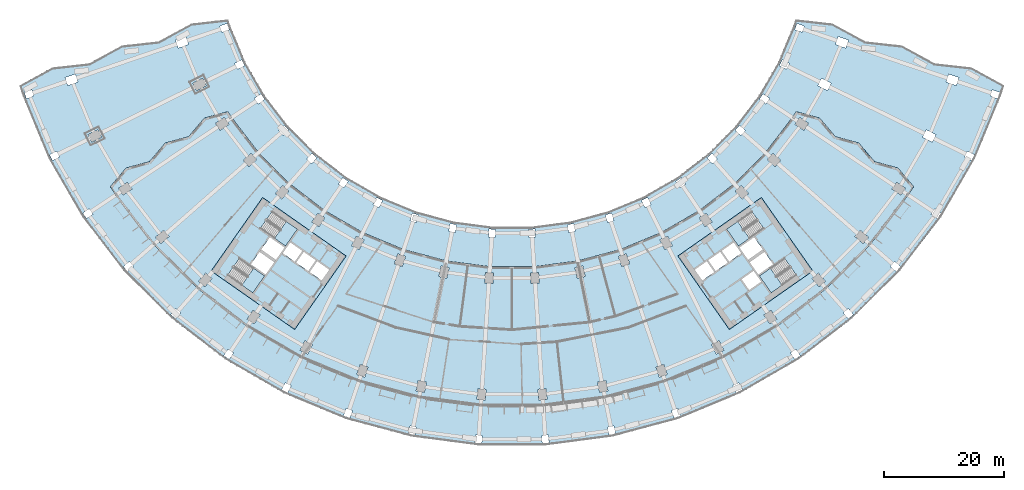
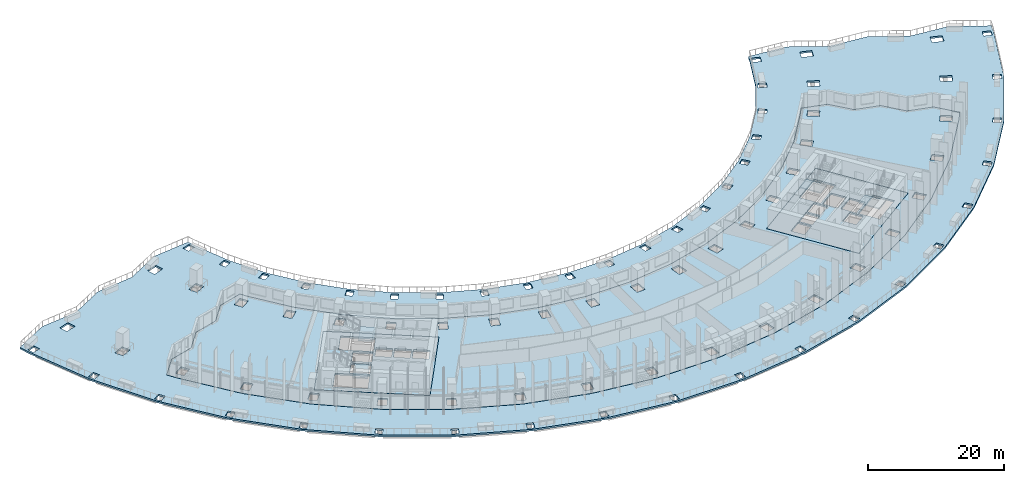
# One storey, part 3 of 35: 8 slabs, 4 elements without a shape of their own.
"""IFC4 building model written with IfcOpenShell, lengths in metres."""

from ifc_helpers import new_model, si_unit, direction, frame, origin, place, context, subcontext, project, spatial, polyline, outline, extrude, material, layer, layer_set, type_object, element, aggregate, save


model = new_model("IFC4")

# Units and contexts
model_context = context("Model", 3, precision=1e-05, world=origin(), true_north=direction((0.0, 1.0)))
body_context = subcontext(model_context, "Body", "Model", "MODEL_VIEW")
ifc_project = project(units=[si_unit("LENGTHUNIT", "METRE"), si_unit("AREAUNIT", "SQUARE_METRE"), si_unit("VOLUMEUNIT", "CUBIC_METRE"), si_unit("PLANEANGLEUNIT", "RADIAN"), si_unit("MASSUNIT", "GRAM", prefix="KILO")], contexts=[model_context])

# Site, building, storey
site_placement = place(None, origin())
site = spatial("IfcSite", under=ifc_project, at=site_placement, CompositionType="ELEMENT")
building_placement = place(site_placement, origin())
building = spatial("IfcBuilding", under=site, at=building_placement, Name="Qamariyya Broadcast Tower", CompositionType="ELEMENT")
storey_placement = place(building_placement, frame((0.0, 0.0, 40.5)))
storey = spatial("IfcBuildingStorey", under=building, at=storey_placement, Name="L06", CompositionType="ELEMENT", Elevation=40.5)

# Slabs
ifc_material_1 = material(Name="Concrete C40/50", Category="concrete")
ifc_layer_1 = layer(ifc_material_1, 0.300048828125)
ifc_layer_set_1 = layer_set([ifc_layer_1], Name="Core floor slab 300 mm Concrete C40/50")
slab_type_1 = type_object("IfcSlabType", Name="Core floor slab 300 mm Concrete C40/50", PredefinedType="FLOOR", material=ifc_layer_set_1)
slab_1_placement = place(storey_placement, frame((0.0, 0.0, -0.300048828125)))
element("IfcSlab", 1, at=slab_1_placement, inside=storey, type_object=slab_type_1, Name="k-W-L06-slab", PredefinedType="FLOOR", context=body_context, shape_type="SweptSolid", body=[
    extrude(outline(polyline([(-50.286376953125, -56.95751953125), (-36.32373046875, -66.734375), (-27.719970703125, -54.447021484375), (-41.6826171875, -44.67041015625), (-50.286376953125, -56.95751953125)]), holes=[polyline([(-31.80859375, -58.542724609375), (-33.8154296875, -57.137451171875), (-32.5537109375, -55.335205078125), (-30.546630859375, -56.740478515625), (-31.80859375, -58.542724609375)]), polyline([(-34.061279296875, -56.96533203125), (-36.068115234375, -55.56005859375), (-34.806396484375, -53.758056640625), (-32.79931640625, -55.163330078125), (-34.061279296875, -56.96533203125)]), polyline([(-36.31396484375, -55.387939453125), (-38.32080078125, -53.982666015625), (-37.058837890625, -52.1806640625), (-35.052001953125, -53.5859375), (-36.31396484375, -55.387939453125)]), polyline([(-39.742431640625, -55.489990234375), (-42.199951171875, -53.769287109375), (-43.6337890625, -55.817138671875), (-41.17626953125, -57.537841796875), (-39.742431640625, -55.489990234375)]), polyline([(-39.45556640625, -55.080322265625), (-41.9130859375, -53.359619140625), (-40.47900390625, -51.311767578125), (-38.021728515625, -53.032470703125), (-39.45556640625, -55.080322265625)]), polyline([(-42.06103515625, -49.837890625), (-37.849609375, -52.78662109375), (-35.870849609375, -49.960693359375), (-40.082275390625, -47.01171875), (-42.06103515625, -49.837890625)]), polyline([(-47.538818359375, -57.66064453125), (-43.3271484375, -60.609619140625), (-41.348388671875, -57.783447265625), (-45.559814453125, -54.834716796875), (-47.538818359375, -57.66064453125)])]), origin(), (0.0, 0.0, 1.0), 0.300048828125),
])
slab_2_placement = place(storey_placement, frame((0.0, 0.0, -0.300048828125)))
element("IfcSlab", 2, at=slab_2_placement, inside=storey, type_object=slab_type_1, Name="k-E-L06-slab", PredefinedType="FLOOR", context=body_context, shape_type="SweptSolid", body=[
    extrude(outline(polyline([(36.32373046875, -66.734375), (50.286376953125, -56.95751953125), (41.6826171875, -44.67041015625), (27.719970703125, -54.447021484375), (36.32373046875, -66.734375)]), holes=[polyline([(31.80859375, -58.542724609375), (33.8154296875, -57.137451171875), (32.5537109375, -55.335205078125), (30.546630859375, -56.740478515625), (31.80859375, -58.542724609375)]), polyline([(34.061279296875, -56.96533203125), (36.068115234375, -55.56005859375), (34.806396484375, -53.758056640625), (32.79931640625, -55.163330078125), (34.061279296875, -56.96533203125)]), polyline([(36.31396484375, -55.387939453125), (38.32080078125, -53.982666015625), (37.058837890625, -52.1806640625), (35.052001953125, -53.5859375), (36.31396484375, -55.387939453125)]), polyline([(38.378662109375, -58.3369140625), (40.3857421875, -56.931640625), (41.6474609375, -58.73388671875), (39.640625, -60.13916015625), (38.378662109375, -58.3369140625)]), polyline([(39.742431640625, -55.489990234375), (42.199951171875, -53.769287109375), (43.6337890625, -55.817138671875), (41.17626953125, -57.537841796875), (39.742431640625, -55.489990234375)]), polyline([(39.45556640625, -55.080322265625), (41.9130859375, -53.359619140625), (40.47900390625, -51.311767578125), (38.021728515625, -53.032470703125), (39.45556640625, -55.080322265625)]), polyline([(40.082275390625, -47.01171875), (35.870849609375, -49.960693359375), (37.849609375, -52.78662109375), (42.06103515625, -49.837890625), (40.082275390625, -47.01171875)]), polyline([(45.559814453125, -54.834716796875), (41.348388671875, -57.783447265625), (43.3271484375, -60.609619140625), (47.538818359375, -57.66064453125), (45.559814453125, -54.834716796875)])]), origin(), (0.0, 0.0, 1.0), 0.300048828125),
])
ifc_layer_2 = layer(ifc_material_1, 0.300048828125)
ifc_layer_set_2 = layer_set([ifc_layer_2], Name="Post-tensioned floor slab 300 C40/50")
slab_type_2 = type_object("IfcSlabType", Name="Post-tensioned floor slab 300 C40/50", PredefinedType="FLOOR", material=ifc_layer_set_2)
slab_3_placement = place(storey_placement, frame((0.0, 0.0, -0.300048828125)))
element("IfcSlab", 3, at=slab_3_placement, inside=storey, type_object=slab_type_2, Name="Floor slab S4 L06", PredefinedType="FLOOR", context=body_context, shape_type="SweptSolid", body=[
    extrude(outline(polyline([(-64.5029296875, -39.74853515625), (-67.138671875, -42.8544921875), (-66.2265625, -44.251220703125), (-59.884033203125, -52.516845703125), (-52.516845703125, -59.884033203125), (-44.251220703125, -66.2265625), (-35.228271484375, -71.43603515625), (-25.6025390625, -75.423095703125), (-15.5390625, -78.11962890625), (-5.20947265625, -79.4794921875), (5.20947265625, -79.4794921875), (15.5390625, -78.11962890625), (25.6025390625, -75.423095703125), (35.228271484375, -71.43603515625), (44.251220703125, -66.2265625), (52.516845703125, -59.884033203125), (59.884033203125, -52.516845703125), (66.2265625, -44.251220703125), (67.138671875, -42.8544921875), (64.5029296875, -39.74853515625), (60.592041015625, -38.67578125), (57.955322265625, -35.5693359375), (54.04541015625, -34.4970703125), (51.407470703125, -31.389892578125), (47.498779296875, -30.318359375), (46.853271484375, -31.306396484375), (42.3662109375, -37.154052734375), (37.154052734375, -42.3662109375), (31.306396484375, -46.853271484375), (24.9228515625, -50.538818359375), (18.113037109375, -53.359619140625), (10.993408203125, -55.267333984375), (3.685546875, -56.229248046875), (-3.685546875, -56.229248046875), (-10.993408203125, -55.267333984375), (-18.113037109375, -53.359619140625), (-24.9228515625, -50.538818359375), (-31.306396484375, -46.853271484375), (-37.154052734375, -42.3662109375), (-42.3662109375, -37.154052734375), (-46.853271484375, -31.306396484375), (-47.498779296875, -30.318359375), (-51.407470703125, -31.389892578125), (-54.04541015625, -34.4970703125), (-57.955322265625, -35.5693359375), (-60.592041015625, -38.67578125), (-64.5029296875, -39.74853515625)]), holes=[polyline([(-33.362060546875, -69.234375), (-34.158203125, -70.8486328125), (-35.413818359375, -70.2294921875), (-34.61767578125, -68.614990234375), (-33.362060546875, -69.234375)]), polyline([(-42.113525390625, -64.287353515625), (-43.113525390625, -65.783935546875), (-44.277587890625, -65.006103515625), (-43.277587890625, -63.509521484375), (-42.113525390625, -64.287353515625)]), polyline([(-51.197021484375, -57.3173828125), (-50.14453125, -58.240478515625), (-51.331298828125, -59.59375), (-52.3837890625, -58.670654296875), (-51.197021484375, -57.3173828125)]), polyline([(-27.719970703125, -54.447021484375), (-36.32373046875, -66.734375), (-50.286376953125, -56.95751953125), (-41.6826171875, -44.67041015625), (-27.719970703125, -54.447021484375)]), polyline([(-57.3173828125, -51.197021484375), (-58.670654296875, -52.3837890625), (-59.59375, -51.331298828125), (-58.240478515625, -50.14453125), (-57.3173828125, -51.197021484375)]), polyline([(-32.444091796875, -47.2958984375), (-31.280029296875, -48.07373046875), (-32.280029296875, -49.5703125), (-33.444091796875, -48.79248046875), (-32.444091796875, -47.2958984375)]), polyline([(-38.33984375, -42.656494140625), (-37.287109375, -43.57958984375), (-38.47412109375, -44.932861328125), (-39.526611328125, -44.009765625), (-38.33984375, -42.656494140625)]), polyline([(-63.509521484375, -43.277587890625), (-65.006103515625, -44.277587890625), (-65.783935546875, -43.113525390625), (-64.287353515625, -42.113525390625), (-63.509521484375, -43.277587890625)]), polyline([(-43.57958984375, -37.287109375), (-42.656494140625, -38.33984375), (-44.009765625, -39.526611328125), (-44.932861328125, -38.47412109375), (-43.57958984375, -37.287109375)]), polyline([(-48.07373046875, -31.280029296875), (-47.2958984375, -32.444091796875), (-48.79248046875, -33.444091796875), (-49.5703125, -32.280029296875), (-48.07373046875, -31.280029296875)]), polyline([(-4.32763671875, -76.731201171875), (-4.445556640625, -78.52734375), (-5.842529296875, -78.435791015625), (-5.724853515625, -76.6396484375), (-4.32763671875, -76.731201171875)]), polyline([(5.724853515625, -76.6396484375), (5.842529296875, -78.435791015625), (4.445556640625, -78.52734375), (4.32763671875, -76.731201171875), (5.724853515625, -76.6396484375)]), polyline([(-15.67919921875, -75.23681640625), (-14.30615234375, -75.510009765625), (-14.6572265625, -77.275390625), (-16.030517578125, -77.002197265625), (-15.67919921875, -75.23681640625)]), polyline([(15.67919921875, -75.23681640625), (16.030517578125, -77.002197265625), (14.6572265625, -77.275390625), (14.30615234375, -75.510009765625), (15.67919921875, -75.23681640625)]), polyline([(-24.039794921875, -72.99658203125), (-24.618408203125, -74.701171875), (-25.944091796875, -74.2509765625), (-25.365478515625, -72.546630859375), (-24.039794921875, -72.99658203125)]), polyline([(24.039794921875, -72.99658203125), (25.365478515625, -72.546630859375), (25.944091796875, -74.2509765625), (24.618408203125, -74.701171875), (24.039794921875, -72.99658203125)]), polyline([(4.449462890625, -57.181396484375), (4.567138671875, -58.9775390625), (3.170166015625, -59.069091796875), (3.05224609375, -57.27294921875), (4.449462890625, -57.181396484375)]), polyline([(-3.05224609375, -57.27294921875), (-3.170166015625, -59.069091796875), (-4.567138671875, -58.9775390625), (-4.449462890625, -57.181396484375), (-3.05224609375, -57.27294921875)]), polyline([(10.501953125, -56.384521484375), (11.875, -56.111572265625), (12.22607421875, -57.876953125), (10.85302734375, -58.14990234375), (10.501953125, -56.384521484375)]), polyline([(-11.875, -56.111572265625), (-10.501953125, -56.384521484375), (-10.85302734375, -58.14990234375), (-12.22607421875, -57.876953125), (-11.875, -56.111572265625)]), polyline([(17.771728515625, -54.531494140625), (19.097412109375, -54.08154296875), (19.676025390625, -55.785888671875), (18.350341796875, -56.23583984375), (17.771728515625, -54.531494140625)]), polyline([(-17.771728515625, -54.531494140625), (-18.350341796875, -56.23583984375), (-19.676025390625, -55.785888671875), (-19.097412109375, -54.08154296875), (-17.771728515625, -54.531494140625)]), polyline([(-24.737548828125, -51.745361328125), (-25.533447265625, -53.359619140625), (-26.789306640625, -52.740478515625), (-25.9931640625, -51.1259765625), (-24.737548828125, -51.745361328125)]), polyline([(24.737548828125, -51.745361328125), (25.9931640625, -51.1259765625), (26.789306640625, -52.740478515625), (25.533447265625, -53.359619140625), (24.737548828125, -51.745361328125)]), polyline([(33.362060546875, -69.234375), (34.61767578125, -68.614990234375), (35.413818359375, -70.2294921875), (34.158203125, -70.8486328125), (33.362060546875, -69.234375)]), polyline([(43.277587890625, -63.509521484375), (44.277587890625, -65.006103515625), (43.113525390625, -65.783935546875), (42.113525390625, -64.287353515625), (43.277587890625, -63.509521484375)]), polyline([(50.14453125, -58.240478515625), (51.197021484375, -57.3173828125), (52.3837890625, -58.670654296875), (51.331298828125, -59.59375), (50.14453125, -58.240478515625)]), polyline([(27.719970703125, -54.447021484375), (41.6826171875, -44.67041015625), (50.286376953125, -56.95751953125), (36.32373046875, -66.734375), (27.719970703125, -54.447021484375)]), polyline([(58.240478515625, -50.14453125), (59.59375, -51.331298828125), (58.670654296875, -52.3837890625), (57.3173828125, -51.197021484375), (58.240478515625, -50.14453125)]), polyline([(32.444091796875, -47.2958984375), (33.444091796875, -48.79248046875), (32.280029296875, -49.5703125), (31.280029296875, -48.07373046875), (32.444091796875, -47.2958984375)]), polyline([(37.287109375, -43.57958984375), (38.33984375, -42.656494140625), (39.526611328125, -44.009765625), (38.47412109375, -44.932861328125), (37.287109375, -43.57958984375)]), polyline([(63.509521484375, -43.277587890625), (64.287353515625, -42.113525390625), (65.783935546875, -43.113525390625), (65.006103515625, -44.277587890625), (63.509521484375, -43.277587890625)]), polyline([(43.57958984375, -37.287109375), (44.932861328125, -38.47412109375), (44.009765625, -39.526611328125), (42.656494140625, -38.33984375), (43.57958984375, -37.287109375)]), polyline([(48.07373046875, -31.280029296875), (49.5703125, -32.280029296875), (48.79248046875, -33.444091796875), (47.2958984375, -32.444091796875), (48.07373046875, -31.280029296875)])]), origin(), (0.0, 0.0, 1.0), 0.300048828125),
])
ifc_layer_3 = layer(ifc_material_1, 0.300048828125)
ifc_layer_set_3 = layer_set([ifc_layer_3], Name="Roof slab 300 C40/50")
slab_type_3 = type_object("IfcSlabType", Name="Roof slab 300 C40/50", PredefinedType="ROOF", material=ifc_layer_set_3)
slab_4_placement = place(storey_placement, frame((0.0, 0.0, -0.300048828125)))
element("IfcSlab", 4, at=slab_4_placement, inside=storey, type_object=slab_type_3, Name="Terrace slab S6 L06", PredefinedType="ROOF", context=body_context, shape_type="SweptSolid", body=[
    extrude(outline(polyline([(-65.1865234375, -19.357421875), (-70.635009765625, -22.3388671875), (-76.78857421875, -23.0263671875), (-82.2353515625, -26.007568359375), (-81.672607421875, -27.72412109375), (-77.355224609375, -38.1474609375), (-71.71435546875, -47.91796875), (-64.84619140625, -56.86865234375), (-56.86865234375, -64.84619140625), (-47.91796875, -71.71435546875), (-38.1474609375, -77.355224609375), (-27.72412109375, -81.672607421875), (-16.82666015625, -84.5927734375), (-5.64111328125, -86.0654296875), (5.64111328125, -86.0654296875), (16.82666015625, -84.5927734375), (27.72412109375, -81.672607421875), (38.1474609375, -77.355224609375), (47.91796875, -71.71435546875), (56.86865234375, -64.84619140625), (64.84619140625, -56.86865234375), (71.71435546875, -47.91796875), (77.355224609375, -38.1474609375), (81.672607421875, -27.72412109375), (82.2353515625, -26.007568359375), (76.78857421875, -23.0263671875), (70.635009765625, -22.3388671875), (65.1865234375, -19.357421875), (59.03466796875, -18.670166015625), (53.583984375, -15.68798828125), (47.434326171875, -15.00146484375), (47.10986328125, -15.99169921875), (44.619384765625, -22.00390625), (41.36572265625, -27.6396484375), (37.404052734375, -32.802490234375), (32.802490234375, -37.404052734375), (27.6396484375, -41.36572265625), (22.00390625, -44.619384765625), (15.99169921875, -47.10986328125), (9.705810546875, -48.794189453125), (3.25390625, -49.6435546875), (-3.25390625, -49.6435546875), (-9.705810546875, -48.794189453125), (-15.99169921875, -47.10986328125), (-22.00390625, -44.619384765625), (-27.6396484375, -41.36572265625), (-32.802490234375, -37.404052734375), (-37.404052734375, -32.802490234375), (-41.36572265625, -27.6396484375), (-44.619384765625, -22.00390625), (-47.10986328125, -15.99169921875), (-47.434326171875, -15.00146484375), (-53.583984375, -15.68798828125), (-59.03466796875, -18.670166015625), (-65.1865234375, -19.357421875)]), holes=[polyline([(-52.516845703125, -59.884033203125), (-59.884033203125, -52.516845703125), (-66.2265625, -44.251220703125), (-67.138671875, -42.8544921875), (-64.5029296875, -39.74853515625), (-60.592041015625, -38.67578125), (-57.955322265625, -35.5693359375), (-54.04541015625, -34.4970703125), (-51.407470703125, -31.389892578125), (-47.498779296875, -30.318359375), (-46.853271484375, -31.306396484375), (-42.3662109375, -37.154052734375), (-37.154052734375, -42.3662109375), (-31.306396484375, -46.853271484375), (-24.9228515625, -50.538818359375), (-18.113037109375, -53.359619140625), (-10.993408203125, -55.267333984375), (-3.685546875, -56.229248046875), (3.685546875, -56.229248046875), (10.993408203125, -55.267333984375), (18.113037109375, -53.359619140625), (24.9228515625, -50.538818359375), (31.306396484375, -46.853271484375), (37.154052734375, -42.3662109375), (42.3662109375, -37.154052734375), (46.853271484375, -31.306396484375), (47.498779296875, -30.318359375), (51.407470703125, -31.389892578125), (54.04541015625, -34.4970703125), (57.955322265625, -35.5693359375), (60.592041015625, -38.67578125), (64.5029296875, -39.74853515625), (67.138671875, -42.8544921875), (66.2265625, -44.251220703125), (59.884033203125, -52.516845703125), (52.516845703125, -59.884033203125), (44.251220703125, -66.2265625), (35.228271484375, -71.43603515625), (25.6025390625, -75.423095703125), (15.5390625, -78.11962890625), (5.20947265625, -79.4794921875), (-5.20947265625, -79.4794921875), (-15.5390625, -78.11962890625), (-25.6025390625, -75.423095703125), (-35.228271484375, -71.43603515625), (-44.251220703125, -66.2265625), (-52.516845703125, -59.884033203125)]), polyline([(-27.714599609375, -79.93359375), (-26.6728515625, -80.287109375), (-27.0908203125, -81.51806640625), (-28.132568359375, -81.16455078125), (-27.714599609375, -79.93359375)]), polyline([(-37.910888671875, -75.632080078125), (-36.92431640625, -76.11865234375), (-37.499267578125, -77.28466796875), (-38.48583984375, -76.798095703125), (-37.910888671875, -75.632080078125)]), polyline([(-47.45849609375, -70.036865234375), (-46.5439453125, -70.64794921875), (-47.26611328125, -71.728759765625), (-48.180908203125, -71.11767578125), (-47.45849609375, -70.036865234375)]), polyline([(-56.194091796875, -63.242919921875), (-55.3671875, -63.96826171875), (-56.224365234375, -64.94580078125), (-57.05126953125, -64.220458984375), (-56.194091796875, -63.242919921875)]), polyline([(-63.96826171875, -55.3671875), (-63.242919921875, -56.194091796875), (-64.220458984375, -57.05126953125), (-64.94580078125, -56.224365234375), (-63.96826171875, -55.3671875)]), polyline([(-70.64794921875, -46.5439453125), (-70.036865234375, -47.45849609375), (-71.11767578125, -48.180908203125), (-71.728759765625, -47.26611328125), (-70.64794921875, -46.5439453125)]), polyline([(-27.376708984375, -41.962158203125), (-28.09912109375, -43.043212890625), (-29.013671875, -42.431884765625), (-28.291259765625, -41.35107421875), (-27.376708984375, -41.962158203125)]), polyline([(-33.44677734375, -37.304443359375), (-32.61962890625, -38.02978515625), (-33.476806640625, -39.00732421875), (-34.303955078125, -38.281982421875), (-33.44677734375, -37.304443359375)]), polyline([(-76.11865234375, -36.92431640625), (-75.632080078125, -37.910888671875), (-76.798095703125, -38.48583984375), (-77.28466796875, -37.499267578125), (-76.11865234375, -36.92431640625)]), polyline([(-69.234375, -33.362060546875), (-68.614990234375, -34.61767578125), (-70.2294921875, -35.413818359375), (-70.8486328125, -34.158203125), (-69.234375, -33.362060546875)]), polyline([(-37.304443359375, -33.44677734375), (-38.281982421875, -34.303955078125), (-39.00732421875, -33.476806640625), (-38.02978515625, -32.61962890625), (-37.304443359375, -33.44677734375)]), polyline([(-41.962158203125, -27.376708984375), (-41.35107421875, -28.291259765625), (-42.431884765625, -29.013671875), (-43.043212890625, -28.09912109375), (-41.962158203125, -27.376708984375)]), polyline([(-80.287109375, -26.6728515625), (-79.93359375, -27.714599609375), (-81.16455078125, -28.132568359375), (-81.51806640625, -27.0908203125), (-80.287109375, -26.6728515625)]), polyline([(-51.745361328125, -24.737548828125), (-51.1259765625, -25.9931640625), (-52.740478515625, -26.789306640625), (-53.359619140625, -25.533447265625), (-51.745361328125, -24.737548828125)]), polyline([(-72.546630859375, -25.365478515625), (-74.2509765625, -25.944091796875), (-74.701171875, -24.618408203125), (-72.99658203125, -24.039794921875), (-72.546630859375, -25.365478515625)]), polyline([(-44.690185546875, -22.65185546875), (-45.85595703125, -23.226806640625), (-46.342529296875, -22.240478515625), (-45.176513671875, -21.665283203125), (-44.690185546875, -22.65185546875)]), polyline([(-54.531494140625, -17.771728515625), (-54.08154296875, -19.097412109375), (-55.785888671875, -19.676025390625), (-56.23583984375, -18.350341796875), (-54.531494140625, -17.771728515625)]), polyline([(-47.617919921875, -15.583251953125), (-47.264404296875, -16.625), (-48.495361328125, -17.042724609375), (-48.84912109375, -16.001220703125), (-47.617919921875, -15.583251953125)]), polyline([(4.984375, -84.454833984375), (6.08203125, -84.3828125), (6.1669921875, -85.68017578125), (5.0693359375, -85.751953125), (4.984375, -84.454833984375)]), polyline([(-4.984375, -84.454833984375), (-5.0693359375, -85.751953125), (-6.1669921875, -85.68017578125), (-6.08203125, -84.3828125), (-4.984375, -84.454833984375)]), polyline([(17.044189453125, -82.8671875), (17.297607421875, -84.14208984375), (16.21875, -84.356689453125), (15.965087890625, -83.081787109375), (17.044189453125, -82.8671875)]), polyline([(-17.044189453125, -82.8671875), (-15.965087890625, -83.081787109375), (-16.21875, -84.356689453125), (-17.297607421875, -84.14208984375), (-17.044189453125, -82.8671875)]), polyline([(26.6728515625, -80.287109375), (27.714599609375, -79.93359375), (28.132568359375, -81.16455078125), (27.0908203125, -81.51806640625), (26.6728515625, -80.287109375)]), polyline([(-3.825439453125, -49.956787109375), (-2.727783203125, -50.02880859375), (-2.81298828125, -51.325927734375), (-3.91064453125, -51.25390625), (-3.825439453125, -49.956787109375)]), polyline([(2.727783203125, -50.02880859375), (3.825439453125, -49.956787109375), (3.91064453125, -51.25390625), (2.81298828125, -51.325927734375), (2.727783203125, -50.02880859375)]), polyline([(-9.234619140625, -49.24462890625), (-9.48828125, -50.519775390625), (-10.567138671875, -50.30517578125), (-10.3134765625, -49.030029296875), (-9.234619140625, -49.24462890625)]), polyline([(10.3134765625, -49.030029296875), (10.567138671875, -50.30517578125), (9.48828125, -50.519775390625), (9.234619140625, -49.24462890625), (10.3134765625, -49.030029296875)]), polyline([(-16.625, -47.264404296875), (-15.583251953125, -47.617919921875), (-16.001220703125, -48.84912109375), (-17.042724609375, -48.495361328125), (-16.625, -47.264404296875)]), polyline([(15.583251953125, -47.617919921875), (16.625, -47.264404296875), (17.042724609375, -48.495361328125), (16.001220703125, -48.84912109375), (15.583251953125, -47.617919921875)]), polyline([(21.665283203125, -45.176513671875), (22.65185546875, -44.690185546875), (23.226806640625, -45.85595703125), (22.240478515625, -46.342529296875), (21.665283203125, -45.176513671875)]), polyline([(-21.665283203125, -45.176513671875), (-22.240478515625, -46.342529296875), (-23.226806640625, -45.85595703125), (-22.65185546875, -44.690185546875), (-21.665283203125, -45.176513671875)]), polyline([(37.910888671875, -75.632080078125), (38.48583984375, -76.798095703125), (37.499267578125, -77.28466796875), (36.92431640625, -76.11865234375), (37.910888671875, -75.632080078125)]), polyline([(46.5439453125, -70.64794921875), (47.45849609375, -70.036865234375), (48.180908203125, -71.11767578125), (47.26611328125, -71.728759765625), (46.5439453125, -70.64794921875)]), polyline([(56.194091796875, -63.242919921875), (57.05126953125, -64.220458984375), (56.224365234375, -64.94580078125), (55.3671875, -63.96826171875), (56.194091796875, -63.242919921875)]), polyline([(63.242919921875, -56.194091796875), (63.96826171875, -55.3671875), (64.94580078125, -56.224365234375), (64.220458984375, -57.05126953125), (63.242919921875, -56.194091796875)]), polyline([(70.64794921875, -46.5439453125), (71.728759765625, -47.26611328125), (71.11767578125, -48.180908203125), (70.036865234375, -47.45849609375), (70.64794921875, -46.5439453125)]), polyline([(27.376708984375, -41.962158203125), (28.291259765625, -41.35107421875), (29.013671875, -42.431884765625), (28.09912109375, -43.043212890625), (27.376708984375, -41.962158203125)]), polyline([(33.44677734375, -37.304443359375), (34.303955078125, -38.281982421875), (33.476806640625, -39.00732421875), (32.61962890625, -38.02978515625), (33.44677734375, -37.304443359375)]), polyline([(76.11865234375, -36.92431640625), (77.28466796875, -37.499267578125), (76.798095703125, -38.48583984375), (75.632080078125, -37.910888671875), (76.11865234375, -36.92431640625)]), polyline([(68.614990234375, -34.61767578125), (69.234375, -33.362060546875), (70.8486328125, -34.158203125), (70.2294921875, -35.413818359375), (68.614990234375, -34.61767578125)]), polyline([(37.304443359375, -33.44677734375), (38.02978515625, -32.61962890625), (39.00732421875, -33.476806640625), (38.281982421875, -34.303955078125), (37.304443359375, -33.44677734375)]), polyline([(41.962158203125, -27.376708984375), (43.043212890625, -28.09912109375), (42.431884765625, -29.013671875), (41.35107421875, -28.291259765625), (41.962158203125, -27.376708984375)]), polyline([(80.287109375, -26.6728515625), (81.51806640625, -27.0908203125), (81.16455078125, -28.132568359375), (79.93359375, -27.714599609375), (80.287109375, -26.6728515625)]), polyline([(51.1259765625, -25.9931640625), (51.745361328125, -24.737548828125), (53.359619140625, -25.533447265625), (52.740478515625, -26.789306640625), (51.1259765625, -25.9931640625)]), polyline([(72.546630859375, -25.365478515625), (72.99658203125, -24.039794921875), (74.701171875, -24.618408203125), (74.2509765625, -25.944091796875), (72.546630859375, -25.365478515625)]), polyline([(44.690185546875, -22.65185546875), (45.176513671875, -21.665283203125), (46.342529296875, -22.240478515625), (45.85595703125, -23.226806640625), (44.690185546875, -22.65185546875)]), polyline([(54.531494140625, -17.771728515625), (56.23583984375, -18.350341796875), (55.785888671875, -19.676025390625), (54.08154296875, -19.097412109375), (54.531494140625, -17.771728515625)]), polyline([(47.617919921875, -15.583251953125), (48.84912109375, -16.001220703125), (48.495361328125, -17.042724609375), (47.264404296875, -16.625), (47.617919921875, -15.583251953125)])]), origin(), (0.0, 0.0, 1.0), 0.300048828125),
])

# Stair, slab
ifc_material_2 = material(Name="Concrete C50/60", Category="concrete")
stair_type = type_object("IfcStairType", Name="Exit stair 22 risers of 173 mm", PredefinedType="HALF_TURN_STAIR", material=ifc_material_2)
stair_1_placement = place(storey_placement, origin())
stair_1 = element("IfcStair", 5, at=stair_1_placement, inside=storey, type_object=stair_type, Name="L06 Stair W2", PredefinedType="HALF_TURN_STAIR")
ifc_layer_4 = layer(ifc_material_2, 0.199951171875)
ifc_layer_set_4 = layer_set([ifc_layer_4], Name="Stair landing")
slab_type_4 = type_object("IfcSlabType", Name="Stair landing", PredefinedType="LANDING", material=ifc_layer_set_4)
slab_5_placement = place(storey_placement, frame((0.0, 0.0, 1.699951171875)))
slab_5 = element("IfcSlab", 6, at=slab_5_placement, type_object=slab_type_4, Name="ST-W2 landing 1", PredefinedType="LANDING", context=body_context, shape_type="SweptSolid", body=[
    extrude(outline(polyline([(-39.692138671875, -51.49658203125), (-37.849609375, -52.78662109375), (-35.870849609375, -49.960693359375), (-37.71337890625, -48.67041015625), (-39.692138671875, -51.49658203125)])), origin(), (0.0, 0.0, 1.0), 0.199951171875),
])
aggregate(stair_1, [slab_5])

stair_2_placement = place(storey_placement, origin())
stair_2 = element("IfcStair", 7, at=stair_2_placement, inside=storey, type_object=stair_type, Name="L06 Stair W1", PredefinedType="HALF_TURN_STAIR")
slab_6_placement = place(storey_placement, frame((0.0, 0.0, 1.699951171875)))
slab_6 = element("IfcSlab", 8, at=slab_6_placement, type_object=slab_type_4, Name="ST-W1 landing 1", PredefinedType="LANDING", context=body_context, shape_type="SweptSolid", body=[
    extrude(outline(polyline([(-45.169677734375, -59.319580078125), (-43.3271484375, -60.609619140625), (-41.348388671875, -57.783447265625), (-43.19091796875, -56.493408203125), (-45.169677734375, -59.319580078125)])), origin(), (0.0, 0.0, 1.0), 0.199951171875),
])
aggregate(stair_2, [slab_6])

stair_3_placement = place(storey_placement, origin())
stair_3 = element("IfcStair", 9, at=stair_3_placement, inside=storey, type_object=stair_type, Name="L06 Stair E2", PredefinedType="HALF_TURN_STAIR")
slab_7_placement = place(storey_placement, frame((0.0, 0.0, 1.699951171875)))
slab_7 = element("IfcSlab", 10, at=slab_7_placement, type_object=slab_type_4, Name="ST-E2 landing 1", PredefinedType="LANDING", context=body_context, shape_type="SweptSolid", body=[
    extrude(outline(polyline([(37.71337890625, -48.67041015625), (35.870849609375, -49.960693359375), (37.849609375, -52.78662109375), (39.692138671875, -51.49658203125), (37.71337890625, -48.67041015625)])), origin(), (0.0, 0.0, 1.0), 0.199951171875),
])
aggregate(stair_3, [slab_7])

stair_4_placement = place(storey_placement, origin())
stair_4 = element("IfcStair", 11, at=stair_4_placement, inside=storey, type_object=stair_type, Name="L06 Stair E1", PredefinedType="HALF_TURN_STAIR")
slab_8_placement = place(storey_placement, frame((0.0, 0.0, 1.699951171875)))
slab_8 = element("IfcSlab", 12, at=slab_8_placement, type_object=slab_type_4, Name="ST-E1 landing 1", PredefinedType="LANDING", context=body_context, shape_type="SweptSolid", body=[
    extrude(outline(polyline([(43.19091796875, -56.493408203125), (41.348388671875, -57.783447265625), (43.3271484375, -60.609619140625), (45.169677734375, -59.319580078125), (43.19091796875, -56.493408203125)])), origin(), (0.0, 0.0, 1.0), 0.199951171875),
])
aggregate(stair_4, [slab_8])

save(model, "model.ifc")
